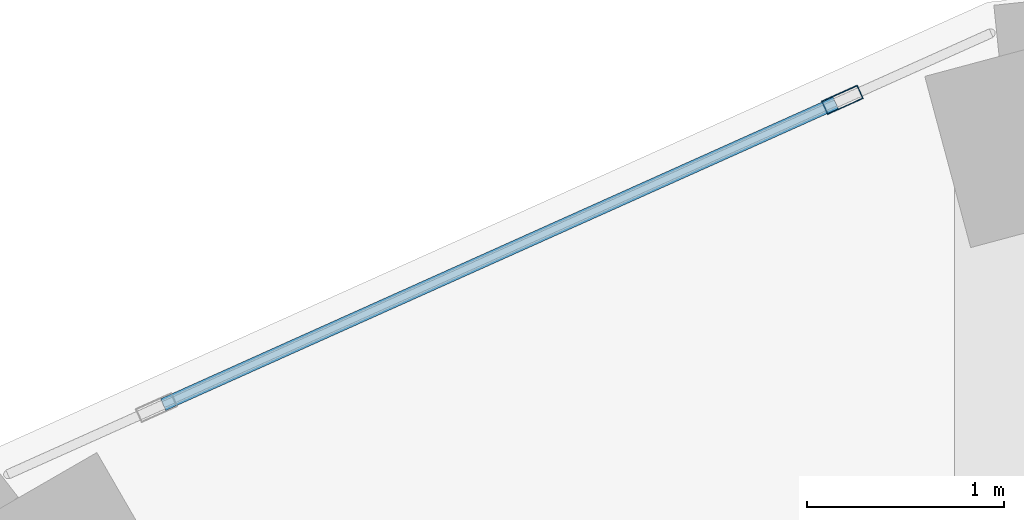
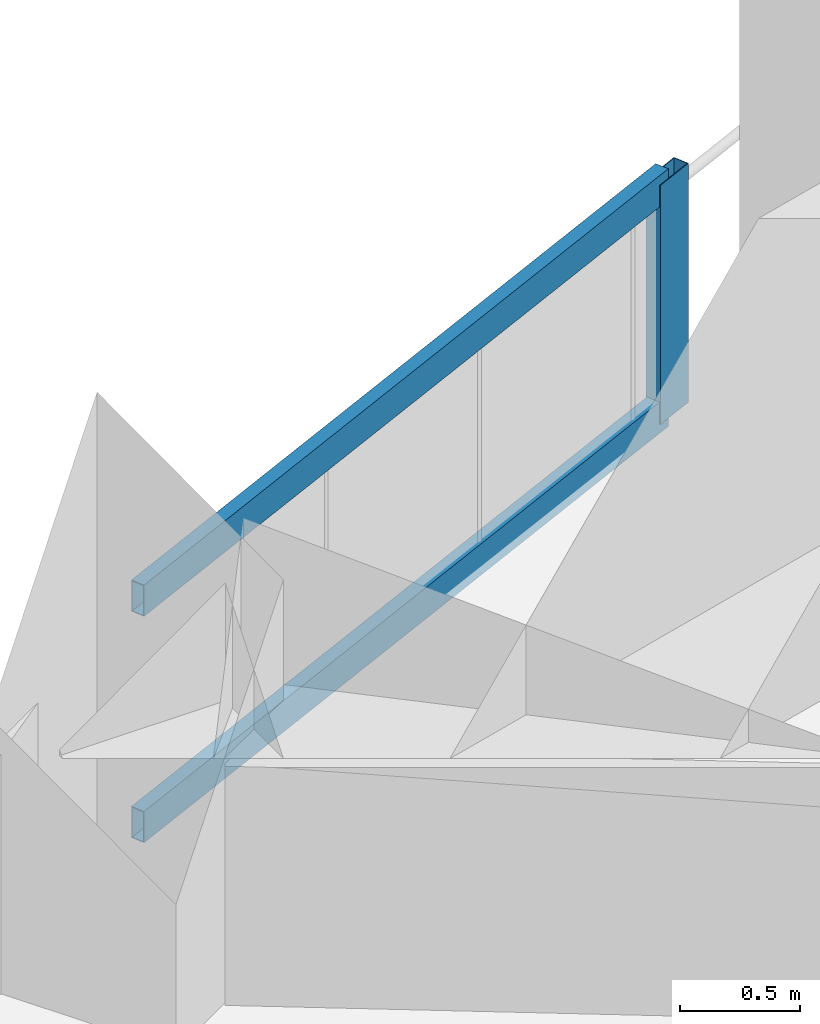
# One storey, part 11 of 20: 3 members, 1 element without a shape of its own.
"""IFC4 building model written with IfcOpenShell, lengths in metres."""

from ifc_helpers import new_model, si_unit, direction, frame, origin, origin_2d, place, context, subcontext, project, spatial, hollow_rectangle, extrude, material, layer, layer_set, material_profile, profile_set, type_object, element, aggregate, save


model = new_model("IFC4")

# Units and contexts
model_context = context("Model", 3, precision=1e-05, world=origin(), true_north=direction((0.0, 1.0)))
body_context = subcontext(model_context, "Body", "Model", "MODEL_VIEW")
ifc_project = project(units=[si_unit("LENGTHUNIT", "METRE"), si_unit("AREAUNIT", "SQUARE_METRE"), si_unit("VOLUMEUNIT", "CUBIC_METRE"), si_unit("PLANEANGLEUNIT", "RADIAN"), si_unit("MASSUNIT", "GRAM", prefix="KILO")], contexts=[model_context])

# Site, building, storey
site_placement = place(None, origin())
site = spatial("IfcSite", under=ifc_project, at=site_placement, CompositionType="ELEMENT")
building_placement = place(site_placement, origin())
building = spatial("IfcBuilding", under=site, at=building_placement, Name="Solvane Sanctuary Tower", CompositionType="ELEMENT")
storey_placement = place(building_placement, frame((0.0, 0.0, 159.10009765625)))
storey = spatial("IfcBuildingStorey", under=building, at=storey_placement, Name="L48", CompositionType="ELEMENT", Elevation=159.10009765625)

# Curtain wall, members
ifc_material = material(Name="Anodised Aluminium 6063-T6", Category="aluminium")
ifc_layer = layer(ifc_material, 0.179931640625, Name="Anodised Aluminium 6063-T6")
ifc_layer_set = layer_set([ifc_layer], Name="Anodised Aluminium 6063-T6")
curtain_wall_type = type_object("IfcCurtainWallType", Name="Curtain Wall CW-FRIT-Z2", PredefinedType="NOTDEFINED", material=ifc_layer_set)
curtain_wall_placement = place(storey_placement, origin())
curtain_wall = element("IfcCurtainWall", 1, at=curtain_wall_placement, inside=storey, type_object=curtain_wall_type, Name="L48 CW-FRIT-Z2 Facade Run 07", PredefinedType="NOTDEFINED")
ifc_material_profile_1 = material_profile(ifc_material, hollow_rectangle(XDim=0.074951171875, YDim=0.199951171875, WallThickness=0.00390625, at=origin_2d()), Name="ALU200X75X4")
ifc_profile_set_1 = profile_set([ifc_material_profile_1], Name="Anodised Aluminium 6063-T6")
member_type_1 = type_object("IfcMemberType", Name="Member M-CW-MUL-1 ALU200X75X4", PredefinedType="MULLION", material=ifc_profile_set_1)
member_1_placement = place(storey_placement, frame((23.8525390625, 40.33349609375, 0.0), z_axis=(0.0, 0.0, 1.0), x_axis=(0.409410643281, -0.912350220676, 0.0)))
member_1 = element("IfcMember", 2, at=member_1_placement, type_object=member_type_1, Name="CW-FRIT-Z2 mullion 1", PredefinedType="MULLION", context=body_context, shape_type="SweptSolid", body=[
    extrude(hollow_rectangle(XDim=0.074951171875, YDim=0.199951171875, WallThickness=0.00390625, at=origin_2d()), origin(), (0.0, 0.0, 1.0), 1.219970703125),
])
ifc_material_profile_2 = material_profile(ifc_material, hollow_rectangle(XDim=0.06494140625, YDim=0.159912109375, WallThickness=0.00341796875, at=origin_2d()), Name="ALU160X65X3.5")
ifc_profile_set_2 = profile_set([ifc_material_profile_2], Name="Anodised Aluminium 6063-T6")
member_type_2 = type_object("IfcMemberType", Name="Member M-CW-TRN-1 ALU160X65X3.5", PredefinedType="USERDEFINED", material=ifc_profile_set_2)
member_2_placement = place(storey_placement, frame((23.818359375, 40.318115234375, 0.032470703125), z_axis=(-0.912374949437, -0.409355532075, 0.0), x_axis=(0.409355532075, -0.912374949437, 0.0)))
member_2 = element("IfcMember", 3, at=member_2_placement, type_object=member_type_2, Name="CW-FRIT-Z2 transom 1.1", ObjectType="TRANSOM", PredefinedType="USERDEFINED", context=body_context, shape_type="SweptSolid", body=[
    extrude(hollow_rectangle(XDim=0.06494140625, YDim=0.159912109375, WallThickness=0.00341796875, at=origin_2d()), origin(), (0.0, 0.0, 1.0), 3.742919921875),
])
member_3_placement = place(storey_placement, frame((23.818359375, 40.318115234375, 1.1875), z_axis=(-0.912374949437, -0.409355532075, 0.0), x_axis=(0.409355532075, -0.912374949437, 0.0)))
member_3 = element("IfcMember", 4, at=member_3_placement, type_object=member_type_2, Name="CW-FRIT-Z2 transom 1.2", ObjectType="TRANSOM", PredefinedType="USERDEFINED", context=body_context, shape_type="SweptSolid", body=[
    extrude(hollow_rectangle(XDim=0.06494140625, YDim=0.159912109375, WallThickness=0.00341796875, at=origin_2d()), origin(), (0.0, 0.0, 1.0), 3.742919921875),
])
aggregate(curtain_wall, [member_1, member_2, member_3])

save(model, "model.ifc")
